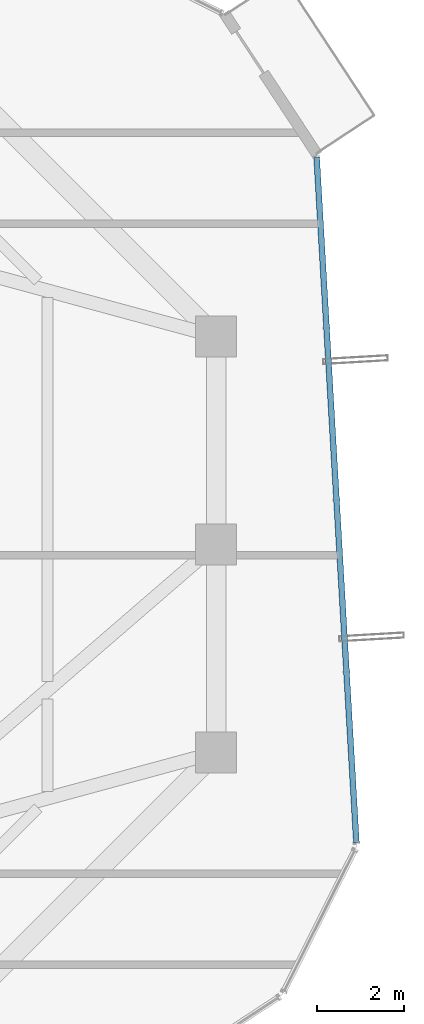
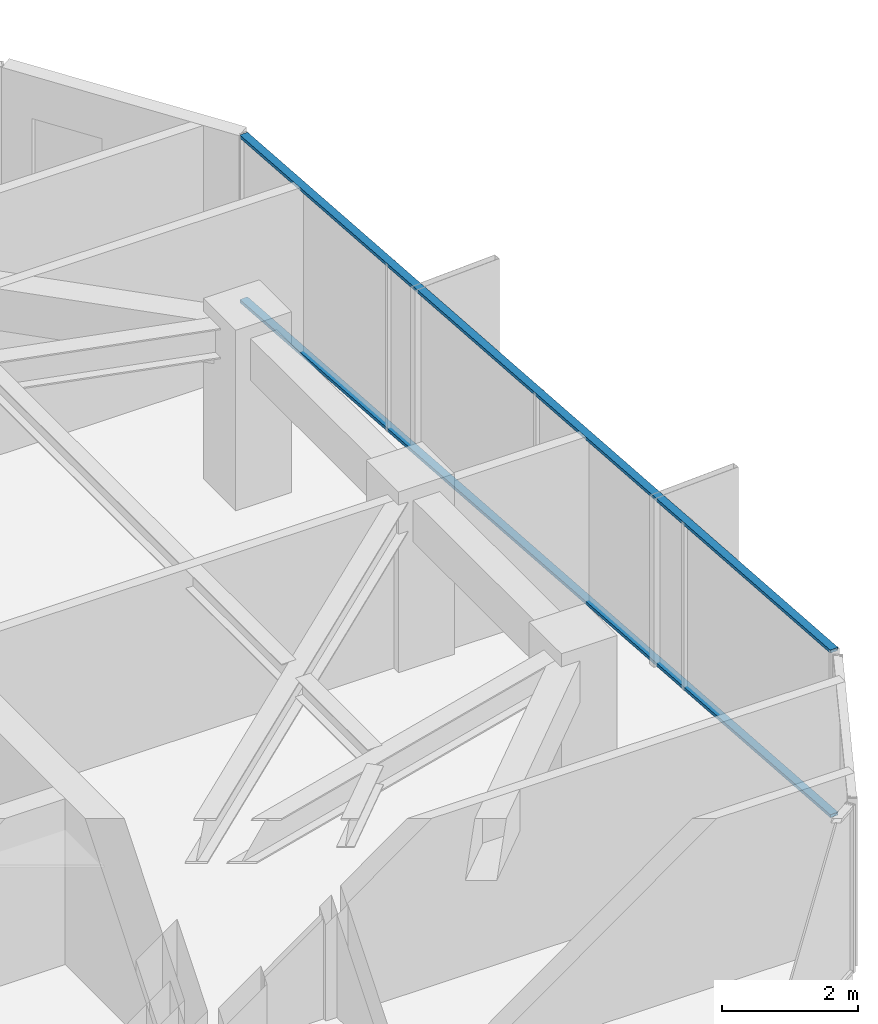
# One storey, part 20 of 33: 2 members, 1 element without a shape of its own.
"""IFC4 building model written with IfcOpenShell, lengths in metres."""

from ifc_helpers import new_model, si_unit, direction, frame, origin, origin_2d, place, context, subcontext, project, spatial, hollow_rectangle, extrude, source, transform, mapped, material, layer, layer_set, material_profile, profile_set, type_object, element, aggregate, save


model = new_model("IFC4")

# Units and contexts
model_context = context("Model", 3, precision=1e-05, world=origin(), true_north=direction((0.0, 1.0)))
body_context = subcontext(model_context, "Body", "Model", "MODEL_VIEW")
ifc_project = project(units=[si_unit("LENGTHUNIT", "METRE"), si_unit("AREAUNIT", "SQUARE_METRE"), si_unit("VOLUMEUNIT", "CUBIC_METRE"), si_unit("PLANEANGLEUNIT", "RADIAN"), si_unit("MASSUNIT", "GRAM", prefix="KILO")], contexts=[model_context])

# Site, building, storey
site_placement = place(None, origin())
site = spatial("IfcSite", under=ifc_project, at=site_placement, CompositionType="ELEMENT")
building_placement = place(site_placement, origin())
building = spatial("IfcBuilding", under=site, at=building_placement, Name="Veraguas Prism Commons", CompositionType="ELEMENT")
storey_placement = place(building_placement, frame((0.0, 0.0, 195.10009765625)))
storey = spatial("IfcBuildingStorey", under=building, at=storey_placement, Name="L55", CompositionType="ELEMENT", Elevation=195.10009765625)

# Curtain wall, members
ifc_material = material(Name="Anodised aluminium EN AW-6063 T6", Category="aluminium")
ifc_layer = layer(ifc_material, 0.14990234375, Name="Unitised Flush Curtain Wall Zone 3", Category="aluminium")
ifc_layer_set = layer_set([ifc_layer], Name="Anodised aluminium EN AW-6063 T6")
curtain_wall_type = type_object("IfcCurtainWallType", Name="Unitised Flush Curtain Wall Zone 3", PredefinedType="NOTDEFINED", material=ifc_layer_set)
curtain_wall_placement = place(storey_placement, origin())
curtain_wall = element("IfcCurtainWall", 1, at=curtain_wall_placement, inside=storey, type_object=curtain_wall_type, Name="Tower Facade Curtain Wall L55-F6", PredefinedType="NOTDEFINED")
ifc_material_profile = material_profile(ifc_material, hollow_rectangle(XDim=0.054931640625, YDim=0.135009765625, WallThickness=0.0029296875, at=origin_2d()), Name="AL55X135X3")
ifc_profile_set = profile_set([ifc_material_profile], Name="Anodised aluminium EN AW-6063 T6")
member_type = type_object("IfcMemberType", Name="Curtain Wall Transom Standard AL 55x135x3", PredefinedType="USERDEFINED", material=ifc_profile_set)
shared_shape = source(origin(), body_context, "Body", "SweptSolid", [
    extrude(hollow_rectangle(XDim=0.054931640625, YDim=0.135009765625, WallThickness=0.0029296875, at=origin_2d()), origin(), (0.0, 0.0, 1.0), 15.842529296875),
])
member_1_placement = place(storey_placement, frame((42.13916015625, 17.11767578125, 0.02734375), z_axis=(-0.057912580518, 0.998321658093, 0.0), x_axis=(0.0, 0.0, 1.0)))
member_1 = element("IfcMember", 2, at=member_1_placement, type_object=member_type, Name="CW-Z3 Transom 1", ObjectType="TRANSOM", PredefinedType="USERDEFINED", context=body_context, shape_type="MappedRepresentation", body=[
    mapped(shared_shape, transform((0.0, 0.0, 0.0), scale=1.0)),
])
member_2_placement = place(storey_placement, frame((42.13916015625, 17.11767578125, 2.9873046875), z_axis=(-0.057912580518, 0.998321658093, 0.0), x_axis=(0.0, 0.0, 1.0)))
member_2 = element("IfcMember", 3, at=member_2_placement, type_object=member_type, Name="CW-Z3 Transom 2", ObjectType="TRANSOM", PredefinedType="USERDEFINED", context=body_context, shape_type="MappedRepresentation", body=[
    mapped(shared_shape, transform((0.0, 0.0, 0.0), scale=1.0)),
])
aggregate(curtain_wall, [member_1, member_2])

save(model, "model.ifc")
